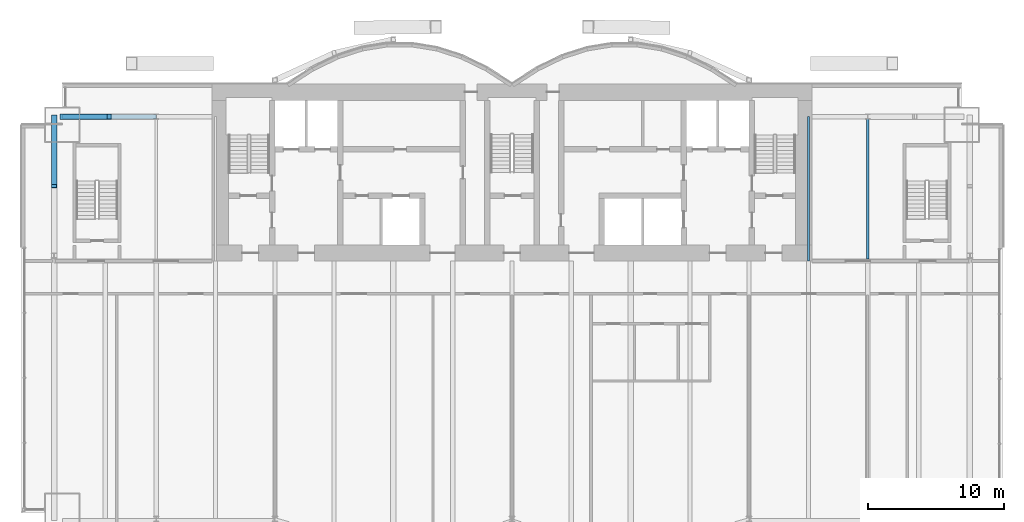
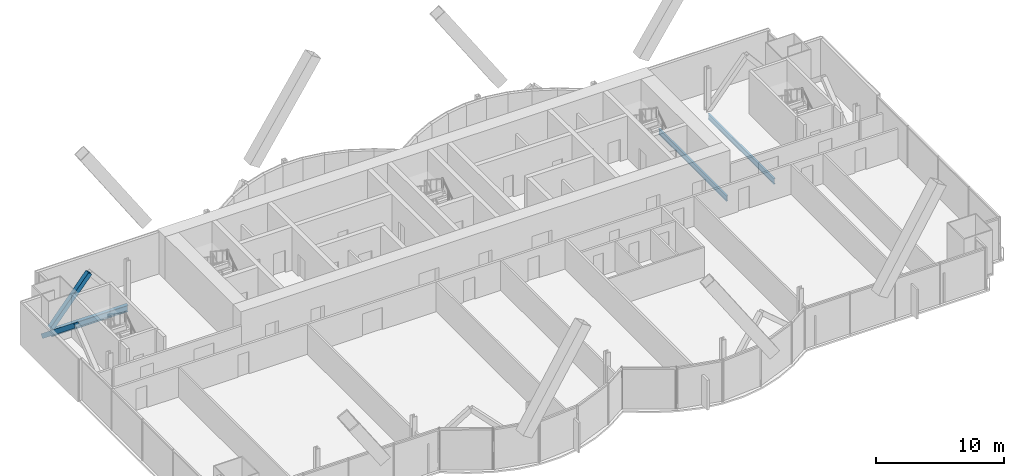
# One storey, part 10 of 22: 3 beams, 2 members.
"""IFC4 building model written with IfcOpenShell, lengths in metres."""

from ifc_helpers import new_model, si_unit, direction, frame, origin, origin_2d, place, context, subcontext, project, spatial, hollow_rectangle, i_section, extrude, material, material_profile, profile_set, type_object, element, save


model = new_model("IFC4")

# Units and contexts
model_context = context("Model", 3, precision=1e-05, world=origin(), true_north=direction((0.0, 1.0)))
body_context = subcontext(model_context, "Body", "Model", "MODEL_VIEW")
ifc_project = project(units=[si_unit("LENGTHUNIT", "METRE"), si_unit("AREAUNIT", "SQUARE_METRE"), si_unit("VOLUMEUNIT", "CUBIC_METRE"), si_unit("PLANEANGLEUNIT", "RADIAN"), si_unit("MASSUNIT", "GRAM", prefix="KILO")], contexts=[model_context])

# Site, building, storey
site_placement = place(None, origin())
site = spatial("IfcSite", under=ifc_project, at=site_placement, CompositionType="ELEMENT")
building_placement = place(site_placement, origin())
building = spatial("IfcBuilding", under=site, at=building_placement, Name="Bicima Exchange Tower", CompositionType="ELEMENT")
storey_placement = place(building_placement, frame((0.0, 0.0, 169.10009765625)))
storey = spatial("IfcBuildingStorey", under=building, at=storey_placement, Name="L37", CompositionType="ELEMENT", Elevation=169.10009765625)

# Beams
ifc_material_1 = material(Name="Steel ASTM A992 Gr 50", Category="steel")
ifc_material_profile_1 = material_profile(ifc_material_1, i_section(OverallWidth=0.165771484375, OverallDepth=0.5283203125, WebThickness=0.009765625, FlangeThickness=0.013671875, at=origin_2d()))
ifc_profile_set_1 = profile_set([ifc_material_profile_1], Name="Steel ASTM A992 Gr 50")
beam_type_1 = type_object("IfcBeamType", Name="Floor beam W21x50", PredefinedType="JOIST", material=ifc_profile_set_1)
beam_1_placement = place(storey_placement, frame((21.75, -2.39990234375, -0.414306640625), z_axis=(0.0, -1.0, 0.0), x_axis=(1.0, 0.0, 0.0)))
element("IfcBeam", 1, at=beam_1_placement, inside=storey, type_object=beam_type_1, Name="Floor beam", PredefinedType="JOIST", context=body_context, shape_type="SweptSolid", body=[
    extrude(i_section(OverallWidth=0.165771484375, OverallDepth=0.5283203125, WebThickness=0.009765625, FlangeThickness=0.013671875, at=origin_2d()), origin(), (0.0, 0.0, 1.0), 10.60009765625),
])
beam_2_placement = place(storey_placement, frame((26.10009765625, -2.5625, -0.414306640625), z_axis=(0.0, -1.0, 0.0), x_axis=(1.0, 0.0, 0.0)))
element("IfcBeam", 2, at=beam_2_placement, inside=storey, type_object=beam_type_1, Name="Floor beam", PredefinedType="JOIST", context=body_context, shape_type="SweptSolid", body=[
    extrude(i_section(OverallWidth=0.165771484375, OverallDepth=0.5283203125, WebThickness=0.009765625, FlangeThickness=0.013671875, at=origin_2d()), origin(), (0.0, 0.0, 1.0), 10.28515625),
])

# Members
ifc_material_2 = material(Name="Steel ASTM A572 Gr 50", Category="steel")
ifc_material_profile_2 = material_profile(ifc_material_2, hollow_rectangle(XDim=0.406494140625, YDim=0.406494140625, WallThickness=0.017822265625, at=origin_2d()))
ifc_profile_set_2 = profile_set([ifc_material_profile_2], Name="Steel ASTM A572 Gr 50")
member_type = type_object("IfcMemberType", Name="Mega brace HSS16x16x3/4", PredefinedType="BRACE", material=ifc_profile_set_2)
member_1_placement = place(storey_placement, frame((-33.0, -2.39990234375, 0.0), z_axis=(0.643856488545, 0.0, 0.765146275008), x_axis=(0.0, 1.0, 0.0)))
element("IfcMember", 3, at=member_1_placement, inside=storey, type_object=member_type, Name="Mega brace rear", PredefinedType="BRACE", context=body_context, shape_type="SweptSolid", body=[
    extrude(hollow_rectangle(XDim=0.406494140625, YDim=0.406494140625, WallThickness=0.017822265625, at=origin_2d()), origin(), (0.0, 0.0, 1.0), 5.358154296875),
])
member_2_placement = place(storey_placement, frame((-33.60009765625, -2.39990234375, -0.496826171875), z_axis=(0.0, -0.779374241895, 0.626558689247), x_axis=(1.0, 0.0, 0.0)))
element("IfcMember", 4, at=member_2_placement, inside=storey, type_object=member_type, Name="Mega brace west end", PredefinedType="BRACE", context=body_context, shape_type="SweptSolid", body=[
    extrude(hollow_rectangle(XDim=0.406494140625, YDim=0.406494140625, WallThickness=0.017822265625, at=origin_2d()), origin(), (0.0, 0.0, 1.0), 6.5439453125),
])

# Beam
ifc_material_profile_3 = material_profile(ifc_material_1, i_section(OverallWidth=0.3251953125, OverallDepth=0.612060546875, WebThickness=0.0126953125, FlangeThickness=0.01904296875, at=origin_2d()))
ifc_profile_set_3 = profile_set([ifc_material_profile_3], Name="Steel ASTM A992 Gr 50")
beam_type_2 = type_object("IfcBeamType", Name="Rear girder W24x104", PredefinedType="BEAM", material=ifc_profile_set_3)
beam_3_placement = place(storey_placement, frame((-26.10009765625, -2.39990234375, -0.456298828125), z_axis=(-1.0, 0.0, 0.0), x_axis=(0.0, -1.0, 0.0)))
element("IfcBeam", 5, at=beam_3_placement, inside=storey, type_object=beam_type_2, Name="Rear girder", PredefinedType="BEAM", context=body_context, shape_type="SweptSolid", body=[
    extrude(i_section(OverallWidth=0.3251953125, OverallDepth=0.612060546875, WebThickness=0.0126953125, FlangeThickness=0.01904296875, at=origin_2d()), origin(), (0.0, 0.0, 1.0), 6.89990234375),
])

save(model, "model.ifc")
